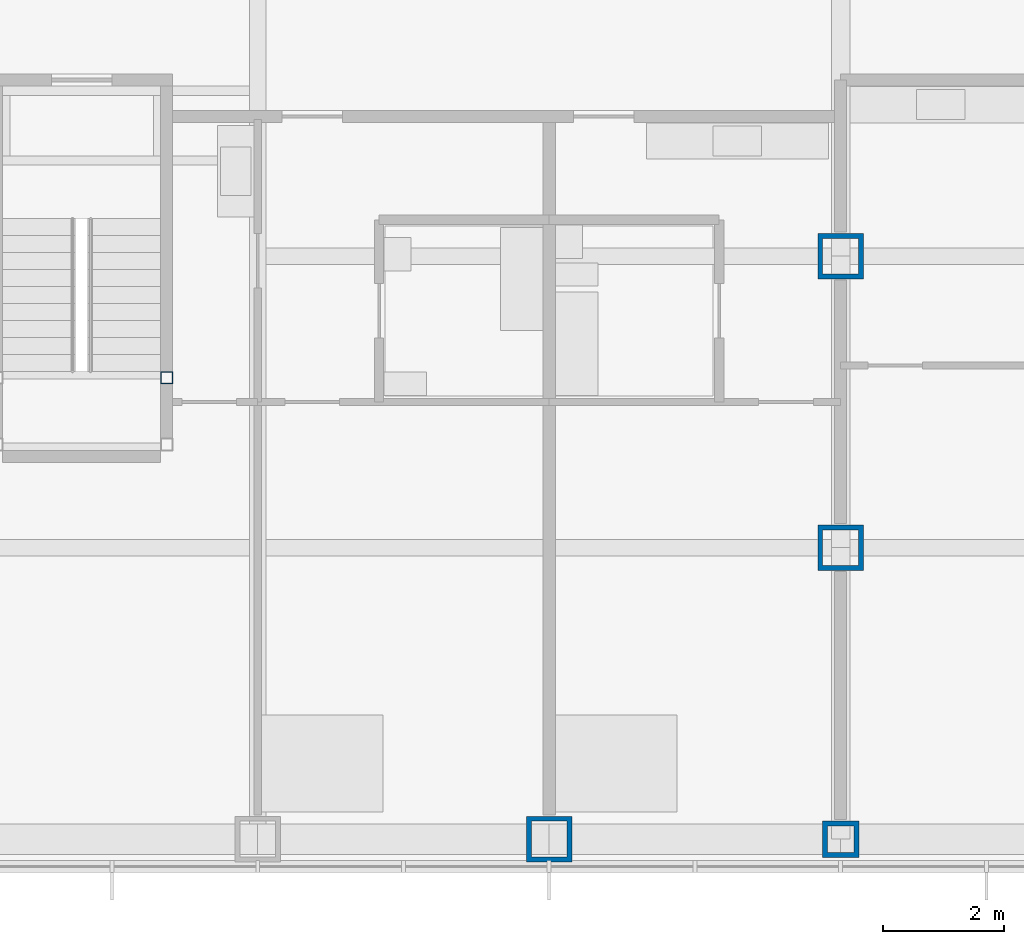
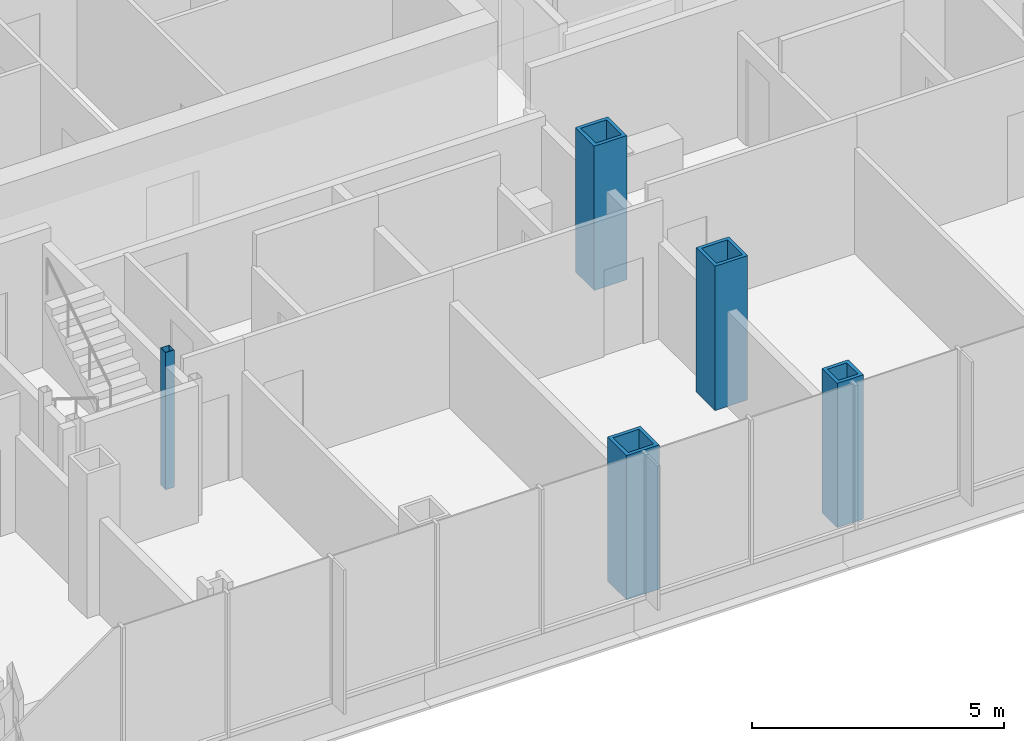
# One storey, part 2 of 21: 5 columns.
"""IFC4 building model written with IfcOpenShell, lengths in metres."""

from ifc_helpers import new_model, si_unit, direction, frame, origin, origin_2d, place, context, subcontext, project, spatial, hollow_rectangle, extrude, material, material_profile, profile_set, type_object, element, save


model = new_model("IFC4")

# Units and contexts
model_context = context("Model", 3, precision=1e-05, world=origin(), true_north=direction((0.0, 1.0)))
body_context = subcontext(model_context, "Body", "Model", "MODEL_VIEW")
ifc_project = project(units=[si_unit("LENGTHUNIT", "METRE"), si_unit("AREAUNIT", "SQUARE_METRE"), si_unit("VOLUMEUNIT", "CUBIC_METRE"), si_unit("PLANEANGLEUNIT", "RADIAN"), si_unit("MASSUNIT", "GRAM", prefix="KILO")], contexts=[model_context])

# Site, building, storey
site_placement = place(None, origin())
site = spatial("IfcSite", under=ifc_project, at=site_placement, CompositionType="ELEMENT")
building_placement = place(site_placement, origin())
building = spatial("IfcBuilding", under=site, at=building_placement, Name="Kvirike Care Tower", CompositionType="ELEMENT")
storey_placement = place(building_placement, frame((0.0, 0.0, 44.5)))
storey = spatial("IfcBuildingStorey", under=building, at=storey_placement, Name="L11", CompositionType="ELEMENT", Elevation=44.5)

# Columns
ifc_material_1 = material(Name="Steel S460", Category="steel")
ifc_material_profile_1 = material_profile(ifc_material_1, hollow_rectangle(XDim=0.60009765625, YDim=0.60009765625, WallThickness=0.080078125, at=origin_2d()), Name="BX 600x600x80")
ifc_profile_set_1 = profile_set([ifc_material_profile_1], Name="Steel S460")
column_type_1 = type_object("IfcColumnType", Name="COLUMN BX 600x600x80", PredefinedType="COLUMN", material=ifc_profile_set_1)
column_1_placement = place(storey_placement, frame((28.800048828125, 14.39990234375, 0.0), z_axis=(0.0, 0.0, 1.0), x_axis=(0.0, 1.0, 0.0)))
element("IfcColumn", 1, at=column_1_placement, inside=storey, type_object=column_type_1, Name="Column D9 L11", PredefinedType="COLUMN", context=body_context, shape_type="SweptSolid", body=[
    extrude(hollow_rectangle(XDim=0.60009765625, YDim=0.60009765625, WallThickness=0.080078125, at=origin_2d()), origin(), (0.0, 0.0, 1.0), 3.5),
])
ifc_material_2 = material(Name="Steel S460", Category="steel")
ifc_material_profile_2 = material_profile(ifc_material_2, hollow_rectangle(XDim=0.75, YDim=0.75, WallThickness=0.080078125, at=origin_2d()), Name="BX 750x750x80")
ifc_profile_set_2 = profile_set([ifc_material_profile_2], Name="Steel S460")
column_type_2 = type_object("IfcColumnType", Name="COLUMN BX 750x750x80", PredefinedType="COLUMN", material=ifc_profile_set_2)
for number, where, z_axis, x_axis, name in (
    (2, (24.0, 14.39990234375, 0.0), (0.0, 0.0, 1.0), (0.0, 1.0, 0.0), "Column D8 L11"),
    (3, (28.800048828125, 19.199951171875, 0.0), (0.0, 0.0, 1.0), (1.0, 0.0, 0.0), "Column E9 L11"),
    (4, (28.800048828125, 24.0, 0.0), (0.0, 0.0, 1.0), (1.0, 0.0, 0.0), "Column F9 L11"),
):
    element("IfcColumn", number, at=place(storey_placement, frame(where, z_axis=z_axis, x_axis=x_axis)), inside=storey, type_object=column_type_2, Name=name, PredefinedType="COLUMN", context=body_context, shape_type="SweptSolid", body=[
        extrude(hollow_rectangle(XDim=0.75, YDim=0.75, WallThickness=0.080078125, at=origin_2d()), origin(), (0.0, 0.0, 1.0), 3.5),
    ])
ifc_material_3 = material(Name="Steel S460", Category="steel")
ifc_material_profile_3 = material_profile(ifc_material_3, hollow_rectangle(XDim=0.199951171875, YDim=0.199951171875, WallThickness=0.008056640625, at=origin_2d()), Name="SHS 200x200x8")
ifc_profile_set_3 = profile_set([ifc_material_profile_3], Name="Steel S460")
column_type_3 = type_object("IfcColumnType", Name="STAIR POST SHS 200x200x8", PredefinedType="COLUMN", material=ifc_profile_set_3)
column_2_placement = place(storey_placement, frame((17.699951171875, 22.0, 0.0), z_axis=(0.0, 0.0, 1.0), x_axis=(1.0, 0.0, 0.0)))
element("IfcColumn", 5, at=column_2_placement, inside=storey, type_object=column_type_3, Name="Stair 5 post 4 L11", PredefinedType="COLUMN", context=body_context, shape_type="SweptSolid", body=[
    extrude(hollow_rectangle(XDim=0.199951171875, YDim=0.199951171875, WallThickness=0.008056640625, at=origin_2d()), origin(), (0.0, 0.0, 1.0), 3.330078125),
])

save(model, "model.ifc")
